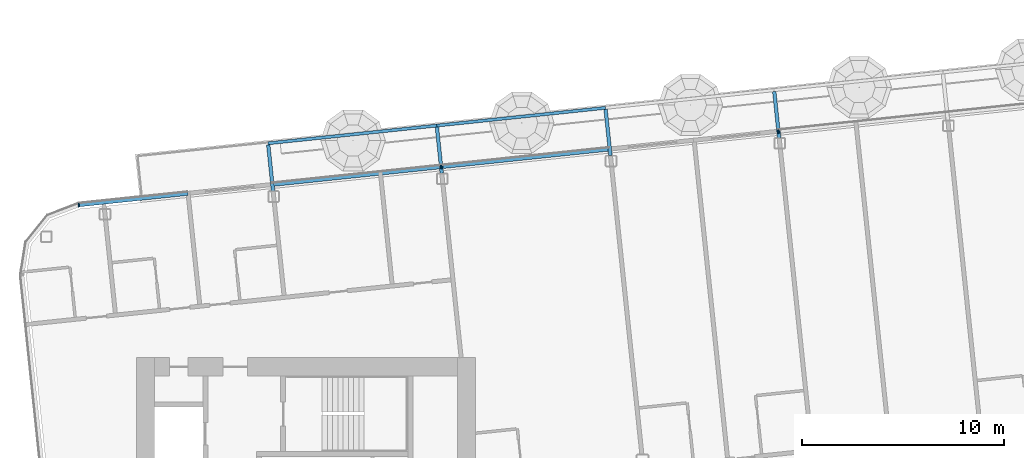
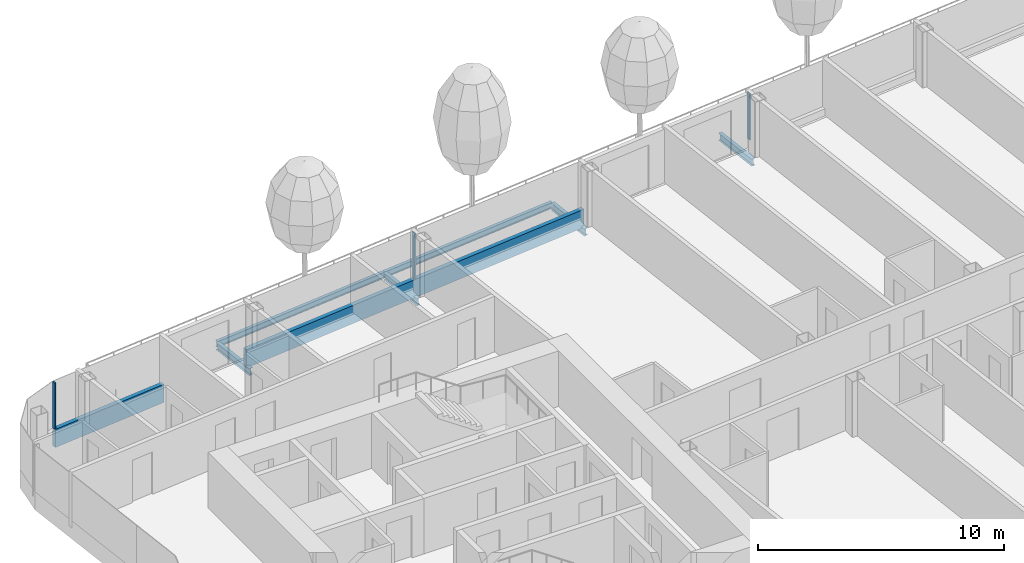
# One storey, part 7 of 30: 6 beams, 5 members, 1 element without a shape of its own.
"""IFC4 building model written with IfcOpenShell, lengths in metres."""

import ifcopenshell
import ifcopenshell.guid

model = None  # the IFC model being written
_history = None  # IfcOwnerHistory: only IFC2X3 demands one
_inside = {}  # id of a spatial element -> (the spatial element, [elements in it])
_under = {}  # id of a project, library or spatial element -> (it, [spatial elements below it])
_declared = {}  # id of a project -> (the project, [libraries it declares])
_typed = {}  # id of a type object -> (the type object, [elements of that type])
_made_of = {}  # id of a material, layer set ... -> (it, [elements and type objects made of it])


def new_model(schema):
    """Start an empty IFC model of exactly this schema.

    Asked for "IFC4X3", IfcOpenShell would pick the latest addendum, in which some entities
    have other attributes; the version numbers below select the first issue.
    IFC2X3 requires an IfcOwnerHistory on every rooted entity: one is made here for all.
    """
    global model, _history
    if schema == "IFC4X3":
        model = ifcopenshell.file(schema_version=(4, 3, 0, 0))
    else:
        model = ifcopenshell.file(schema=schema)
    _inside.clear()
    _under.clear()
    _declared.clear()
    _typed.clear()
    _made_of.clear()
    _history = None
    if model.schema == "IFC2X3":
        org = make("IfcOrganization", Name="unknown")
        user = make(
            "IfcPersonAndOrganization",
            ThePerson=make("IfcPerson", FamilyName="unknown"),
            TheOrganization=org,
        )
        app = make(
            "IfcApplication",
            ApplicationDeveloper=org,
            Version="unknown",
            ApplicationFullName="unknown",
            ApplicationIdentifier="unknown",
        )
        _history = make(
            "IfcOwnerHistory",
            OwningUser=user,
            OwningApplication=app,
            ChangeAction="ADDED",
            CreationDate=0,
        )
    return model


def make(cls, **values):
    """One entity of the class cls with the attributes given. An attribute that is None is left unset."""
    return model.create_entity(
        cls, **{name: value for name, value in values.items() if value is not None}
    )


def rooted(cls, **values):
    """An entity with a GlobalId (a new one), such as an element, a storey or a relation."""
    return make(cls, GlobalId=ifcopenshell.guid.new(), OwnerHistory=_history, **values)


def si_unit(unit_type, name, prefix=None):
    """IfcSIUnit, for example si_unit("LENGTHUNIT", "METRE", prefix="MILLI")."""
    return make("IfcSIUnit", UnitType=unit_type, Prefix=prefix, Name=name)


def assignment(units):
    """IfcUnitAssignment: the units of a project."""
    return None if units is None else make("IfcUnitAssignment", Units=units)


def point(xyz):
    """IfcCartesianPoint."""
    return None if xyz is None else make("IfcCartesianPoint", Coordinates=xyz)


def direction(xyz):
    """IfcDirection."""
    return None if xyz is None else make("IfcDirection", DirectionRatios=xyz)


def frame(location, z_axis=None, x_axis=None):
    """IfcAxis2Placement3D, a coordinate frame: its origin and axes. An axis left out is left unset."""
    return make(
        "IfcAxis2Placement3D",
        Location=point(location),
        Axis=direction(z_axis),
        RefDirection=direction(x_axis),
    )


def frame_2d(location, x_axis=None):
    """IfcAxis2Placement2D, a coordinate frame in the plane: its origin and x axis."""
    return make(
        "IfcAxis2Placement2D", Location=point(location), RefDirection=direction(x_axis)
    )


def origin():
    """The frame at (0, 0, 0) with its axes left unset."""
    return frame((0.0, 0.0, 0.0))


def origin_2d():
    """The frame at (0, 0) in the plane with its x axis left unset."""
    return frame_2d((0.0, 0.0))


def place(relative_to, where):
    """IfcLocalPlacement: puts the frame where relative to a parent placement (None: the world)."""
    return make(
        "IfcLocalPlacement", PlacementRelTo=relative_to, RelativePlacement=where
    )


def context(
    kind, dimensions, precision=None, world=None, true_north=None, identifier=None
):
    """IfcGeometricRepresentationContext, for example the 3D "Model" context."""
    return make(
        "IfcGeometricRepresentationContext",
        ContextIdentifier=identifier,
        ContextType=kind,
        CoordinateSpaceDimension=dimensions,
        Precision=precision,
        WorldCoordinateSystem=world,
        TrueNorth=true_north,
    )


def subcontext(parent, identifier, kind, view, scale=None):
    """IfcGeometricRepresentationSubContext, for example "Body" below "Model"."""
    return make(
        "IfcGeometricRepresentationSubContext",
        ContextIdentifier=identifier,
        ContextType=kind,
        ParentContext=parent,
        TargetScale=scale,
        TargetView=view,
    )


def project(units=None, contexts=None):
    """IfcProject with its units and contexts."""
    return rooted(
        "IfcProject",
        Name="project",
        RepresentationContexts=contexts,
        UnitsInContext=assignment(units),
    )


def spatial(cls, under=None, at=None, **own):
    """A site, building, storey or space (cls), placed at a placement, below another one or the project."""
    s = rooted(cls, ObjectPlacement=at, **own)
    if under is not None:
        _under.setdefault(under.id(), (under, []))[1].append(s)
    return s


def profile(cls, at=None, kind="AREA", **sizes):
    """A parametric profile (cls). Its sizes go by their IFC names, for example OverallWidth=200.0."""
    return make(cls, ProfileType=kind, Position=at, **sizes)


def rectangle(**sizes):
    """IfcRectangleProfileDef."""
    return profile("IfcRectangleProfileDef", **sizes)


def i_section(**sizes):
    """IfcIShapeProfileDef."""
    return profile("IfcIShapeProfileDef", **sizes)


def extrude(swept, where, along, depth):
    """IfcExtrudedAreaSolid: the profile swept, set in the frame where, extruded along a direction by depth."""
    return make(
        "IfcExtrudedAreaSolid",
        SweptArea=swept,
        Position=where,
        ExtrudedDirection=direction(along),
        Depth=depth,
    )


def shape(context_of_items, identifier, shape_type, items):
    """IfcShapeRepresentation: the items that make up one representation, for example the "Body"."""
    return make(
        "IfcShapeRepresentation",
        ContextOfItems=context_of_items,
        RepresentationIdentifier=identifier,
        RepresentationType=shape_type,
        Items=items,
    )


def material(Name=None, Category=None):
    """IfcMaterial."""
    return make("IfcMaterial", Name=Name, Category=Category)


def layer(
    of_material, thickness, ventilated=None, Name=None, Category=None, Priority=None
):
    """IfcMaterialLayer: one layer of a wall or slab, of a material (None: an air gap)."""
    return make(
        "IfcMaterialLayer",
        Material=of_material,
        LayerThickness=thickness,
        IsVentilated=ventilated,
        Name=Name,
        Category=Category,
        Priority=Priority,
    )


def layer_set(layers, Name=None):
    """IfcMaterialLayerSet."""
    return make("IfcMaterialLayerSet", MaterialLayers=layers, LayerSetName=Name)


def material_profile(
    of_material, cross_section, Name=None, Category=None, Priority=None
):
    """IfcMaterialProfile: a cross section and its material."""
    return make(
        "IfcMaterialProfile",
        Name=Name,
        Material=of_material,
        Profile=cross_section,
        Priority=Priority,
        Category=Category,
    )


def profile_set(profiles, Name=None, composite=None):
    """IfcMaterialProfileSet."""
    return make(
        "IfcMaterialProfileSet",
        Name=Name,
        MaterialProfiles=profiles,
        CompositeProfile=composite,
    )


def made_of(thing, what):
    """Note that an element or type object is made of a material, layer set ...; save() writes the relation."""
    if what is not None:
        _made_of.setdefault(what.id(), (what, []))[1].append(thing)
    return thing


def type_object(cls, material=None, **own):
    """A type object (cls), such as IfcWallType, which elements share."""
    return made_of(rooted(cls, **own), material)


def element(
    cls,
    number,
    at=None,
    inside=None,
    cuts=None,
    type_object=None,
    material=None,
    context=None,
    identifier="Body",
    shape_type=None,
    held_by="IfcProductDefinitionShape",
    body=None,
    shapes=None,
    **own,
):
    """One element of the class cls, such as IfcWall. Its Tag is "e" and its number.

    at: its placement. inside: the storey or other place that contains it. cuts: it is an
    opening in that element (IfcRelVoidsElement). A single representation is given by context,
    identifier, shape_type and body (its items); several are given by shapes. held_by: the class
    of the entity that holds the representations. save() writes the other relations.
    """
    e = rooted(cls, Tag="e%d" % number, ObjectPlacement=at, **own)
    if body is not None:
        shapes = [shape(context, identifier, shape_type, body)]
    if shapes is not None:
        e.Representation = make(held_by, Representations=shapes)
    if inside is not None:
        _inside.setdefault(inside.id(), (inside, []))[1].append(e)
    if cuts is not None:
        rooted(
            "IfcRelVoidsElement", RelatingBuildingElement=cuts, RelatedOpeningElement=e
        )
    if type_object is not None:
        _typed.setdefault(type_object.id(), (type_object, []))[1].append(e)
    return made_of(e, material)


def aggregate(whole, parts):
    """IfcRelAggregates: a whole, such as a stair, and the parts it consists of."""
    return rooted("IfcRelAggregates", RelatingObject=whole, RelatedObjects=parts)


def save(model, path):
    """Write the relations noted so far, then the file.

    IfcRelAggregates (storeys below a building ...), IfcRelContainedInSpatialStructure (elements
    in a storey), IfcRelDefinesByType, IfcRelAssociatesMaterial and IfcRelDeclares: one each for
    every whole, place, type object, material and project.
    """
    for whole, parts in _under.values():
        aggregate(whole, parts)
    for where, things in _inside.values():
        rooted(
            "IfcRelContainedInSpatialStructure",
            RelatedElements=things,
            RelatingStructure=where,
        )
    for kind, things in _typed.values():
        rooted("IfcRelDefinesByType", RelatedObjects=things, RelatingType=kind)
    for what, things in _made_of.values():
        rooted("IfcRelAssociatesMaterial", RelatedObjects=things, RelatingMaterial=what)
    for by, libraries in _declared.values():
        rooted("IfcRelDeclares", RelatingContext=by, RelatedDefinitions=libraries)
    model.write(path)


model = new_model("IFC4")

# Units and contexts
model_context = context("Model", 3, precision=1e-05, world=origin(), true_north=direction((0.0, 1.0)))
body_context = subcontext(model_context, "Body", "Model", "MODEL_VIEW")
ifc_project = project(units=[si_unit("LENGTHUNIT", "METRE"), si_unit("AREAUNIT", "SQUARE_METRE"), si_unit("VOLUMEUNIT", "CUBIC_METRE"), si_unit("PLANEANGLEUNIT", "RADIAN"), si_unit("MASSUNIT", "GRAM", prefix="KILO")], contexts=[model_context])

# Site, building, storey
site_placement = place(None, origin())
site = spatial("IfcSite", under=ifc_project, at=site_placement, CompositionType="ELEMENT")
building_placement = place(site_placement, origin())
building = spatial("IfcBuilding", under=site, at=building_placement, Name="Hakoniwa Tower and Hamabe Station Hall", CompositionType="ELEMENT")
storey_placement = place(building_placement, frame((0.0, 0.0, 245.39990234375)))
storey = spatial("IfcBuildingStorey", under=building, at=storey_placement, Name="L69", CompositionType="ELEMENT", Elevation=245.39990234375)

# Beams
ifc_material_1 = material(Name="Steel SN490B", Category="steel")
ifc_material_profile_1 = material_profile(ifc_material_1, i_section(OverallWidth=0.175048828125, OverallDepth=0.35009765625, WebThickness=0.007080078125, FlangeThickness=0.010986328125, FilletRadius=0.013916015625, at=origin_2d()), Name="H-350x175x7x11")
ifc_profile_set_1 = profile_set([ifc_material_profile_1], Name="Steel SN490B")
beam_type_1 = type_object("IfcBeamType", Name="BALCONY BRACKET H-350x175x7x11", PredefinedType="BEAM", material=ifc_profile_set_1)
for number, where, z_axis, x_axis, name in (
    (1, (-26.825927734375, 16.6484375, -0.625), (-0.104557694553, 0.994518822602, 0.0), (-0.994518822602, -0.104557694553, 0.0), "Balcony bracket B5-4-F5"),
    (2, (-18.471923828125, 17.526611328125, -0.625), (-0.104557694553, 0.994518822602, 0.0), (-0.994518822602, -0.104557694553, 0.0), "Balcony bracket B5-5-F5"),
    (3, (-10.117919921875, 18.404541015625, -0.625), (-0.104557694553, 0.994518822602, 0.0), (-0.994518822602, -0.104557694553, 0.0), "Balcony bracket B5-6-F5"),
    (4, (-1.763916015625, 19.28271484375, -0.625), (-0.104557694553, 0.994518822602, 0.0), (-0.994518822602, -0.104557694553, 0.0), "Balcony bracket B5-7-F5"),
):
    element("IfcBeam", number, at=place(storey_placement, frame(where, z_axis=z_axis, x_axis=x_axis)), inside=storey, type_object=beam_type_1, Name=name, PredefinedType="BEAM", context=body_context, shape_type="SweptSolid", body=[
        extrude(i_section(OverallWidth=0.175048828125, OverallDepth=0.35009765625, WebThickness=0.007080078125, FlangeThickness=0.010986328125, FilletRadius=0.013916015625, at=origin_2d()), origin(), (0.0, 0.0, 1.0), 2.300048828125),
    ])
ifc_material_2 = material(Name="Steel SN490B", Category="steel")
ifc_material_profile_2 = material_profile(ifc_material_2, i_section(OverallWidth=0.14990234375, OverallDepth=0.300048828125, WebThickness=0.006591796875, FlangeThickness=0.009033203125, FilletRadius=0.012939453125, at=origin_2d()), Name="H-300x150x6.5x9")
ifc_profile_set_2 = profile_set([ifc_material_profile_2], Name="Steel SN490B")
beam_type_2 = type_object("IfcBeamType", Name="BALCONY EDGE BEAM H-300x150x6.5x9", PredefinedType="BEAM", material=ifc_profile_set_2)
beam_1_placement = place(storey_placement, frame((-27.07421875, 19.010498046875, -0.599853515625), z_axis=(0.994523275226, 0.104515333968, 0.0), x_axis=(-0.104515333968, 0.994523275226, 0.0)))
element("IfcBeam", 5, at=beam_1_placement, inside=storey, type_object=beam_type_2, Name="Balcony edge beam B5-4-F5-B5-5-F5", PredefinedType="BEAM", context=body_context, shape_type="SweptSolid", body=[
    extrude(i_section(OverallWidth=0.14990234375, OverallDepth=0.300048828125, WebThickness=0.006591796875, FlangeThickness=0.009033203125, FilletRadius=0.012939453125, at=origin_2d()), origin(), (0.0, 0.0, 1.0), 8.39990234375),
])
beam_2_placement = place(storey_placement, frame((-18.72021484375, 19.888427734375, -0.599853515625), z_axis=(0.994520253788, 0.104544080685, 0.0), x_axis=(-0.104544080685, 0.994520253788, 0.0)))
element("IfcBeam", 6, at=beam_2_placement, inside=storey, type_object=beam_type_2, Name="Balcony edge beam B5-5-F5-B5-6-F5", PredefinedType="BEAM", context=body_context, shape_type="SweptSolid", body=[
    extrude(i_section(OverallWidth=0.14990234375, OverallDepth=0.300048828125, WebThickness=0.006591796875, FlangeThickness=0.009033203125, FilletRadius=0.012939453125, at=origin_2d()), origin(), (0.0, 0.0, 1.0), 8.400146484375),
])

# Curtain wall, members
ifc_material_3 = material(Name="Dark low-e laminated glass", Category="glass")
ifc_layer = layer(ifc_material_3, 0.199951171875)
ifc_layer_set = layer_set([ifc_layer], Name="CW-1 UNITISED GUEST")
curtain_wall_type = type_object("IfcCurtainWallType", Name="CW-1 UNITISED GUEST", PredefinedType="NOTDEFINED", material=ifc_layer_set)
curtain_wall_placement = place(storey_placement, origin())
curtain_wall = element("IfcCurtainWall", 7, at=curtain_wall_placement, inside=storey, type_object=curtain_wall_type, Name="CW-1 curtain wall", PredefinedType="NOTDEFINED")
ifc_material_4 = material(Name="Aluminium 6063-T5 black anodised", Category="aluminium")
ifc_material_profile_3 = material_profile(ifc_material_4, rectangle(XDim=0.199951171875, YDim=0.89990234375, at=origin_2d()), Name="CW SLAB-EDGE BAND 900X200")
ifc_profile_set_3 = profile_set([ifc_material_profile_3], Name="Aluminium 6063-T5 black anodised")
member_type_1 = type_object("IfcMemberType", Name="CW SLAB-EDGE BAND 900X200", PredefinedType="USERDEFINED", material=ifc_profile_set_3)
member_1_placement = place(storey_placement, frame((-10.09228515625, 18.734130859375, -0.099853515625), z_axis=(-0.994520701768, -0.104539818994, 0.0), x_axis=(0.104539818994, -0.994520701768, 0.0)))
member_1 = element("IfcMember", 8, at=member_1_placement, type_object=member_type_1, Name="CW-1 transom", ObjectType="TRANSOM", PredefinedType="USERDEFINED", context=body_context, shape_type="SweptSolid", body=[
    extrude(rectangle(XDim=0.199951171875, YDim=0.89990234375, at=origin_2d()), origin(), (0.0, 0.0, 1.0), 16.919921875),
])
member_2_placement = place(storey_placement, frame((-31.036865234375, 16.53271484375, -0.099853515625), z_axis=(-0.994521427115, -0.104532918303, 0.0), x_axis=(0.104532918303, -0.994521427115, 0.0)))
member_2 = element("IfcMember", 9, at=member_2_placement, type_object=member_type_1, Name="CW-1 transom", ObjectType="TRANSOM", PredefinedType="USERDEFINED", context=body_context, shape_type="SweptSolid", body=[
    extrude(rectangle(XDim=0.199951171875, YDim=0.89990234375, at=origin_2d()), origin(), (0.0, 0.0, 1.0), 5.439453125),
])
ifc_material_5 = material(Name="Aluminium 6063-T5 black anodised", Category="aluminium")
ifc_material_profile_4 = material_profile(ifc_material_5, rectangle(XDim=0.06005859375, YDim=0.179931640625, at=origin_2d()), Name="CW-1 MULLION 60X180")
ifc_profile_set_4 = profile_set([ifc_material_profile_4], Name="Aluminium 6063-T5 black anodised")
member_type_2 = type_object("IfcMemberType", Name="CW-1 MULLION 60X180", PredefinedType="MULLION", material=ifc_profile_set_4)
member_3_placement = place(storey_placement, frame((-1.7958984375, 19.587890625, 0.35009765625), z_axis=(0.0, 0.0, 1.0), x_axis=(-0.994521895272, -0.104528464188, 0.0)))
member_3 = element("IfcMember", 10, at=member_3_placement, type_object=member_type_2, Name="CW-1 mullion", PredefinedType="MULLION", context=body_context, shape_type="SweptSolid", body=[
    extrude(rectangle(XDim=0.06005859375, YDim=0.179931640625, at=origin_2d()), origin(), (0.0, 0.0, 1.0), 2.300048828125),
])
member_4_placement = place(storey_placement, frame((-18.50390625, 17.831787109375, 0.35009765625), z_axis=(0.0, 0.0, 1.0), x_axis=(-0.994521895272, -0.104528464188, 0.0)))
member_4 = element("IfcMember", 11, at=member_4_placement, type_object=member_type_2, Name="CW-1 mullion", PredefinedType="MULLION", context=body_context, shape_type="SweptSolid", body=[
    extrude(rectangle(XDim=0.06005859375, YDim=0.179931640625, at=origin_2d()), origin(), (0.0, 0.0, 1.0), 2.300048828125),
])
member_5_placement = place(storey_placement, frame((-36.444580078125, 15.946044921875, 0.35009765625), z_axis=(0.0, 0.0, 1.0), x_axis=(-0.994521895272, -0.104528464188, 0.0)))
member_5 = element("IfcMember", 12, at=member_5_placement, type_object=member_type_2, Name="CW-1 mullion", PredefinedType="MULLION", context=body_context, shape_type="SweptSolid", body=[
    extrude(rectangle(XDim=0.06005859375, YDim=0.179931640625, at=origin_2d()), origin(), (0.0, 0.0, 1.0), 2.300048828125),
])
aggregate(curtain_wall, [member_3, member_4, member_5, member_1, member_2])

save(model, "model.ifc")
